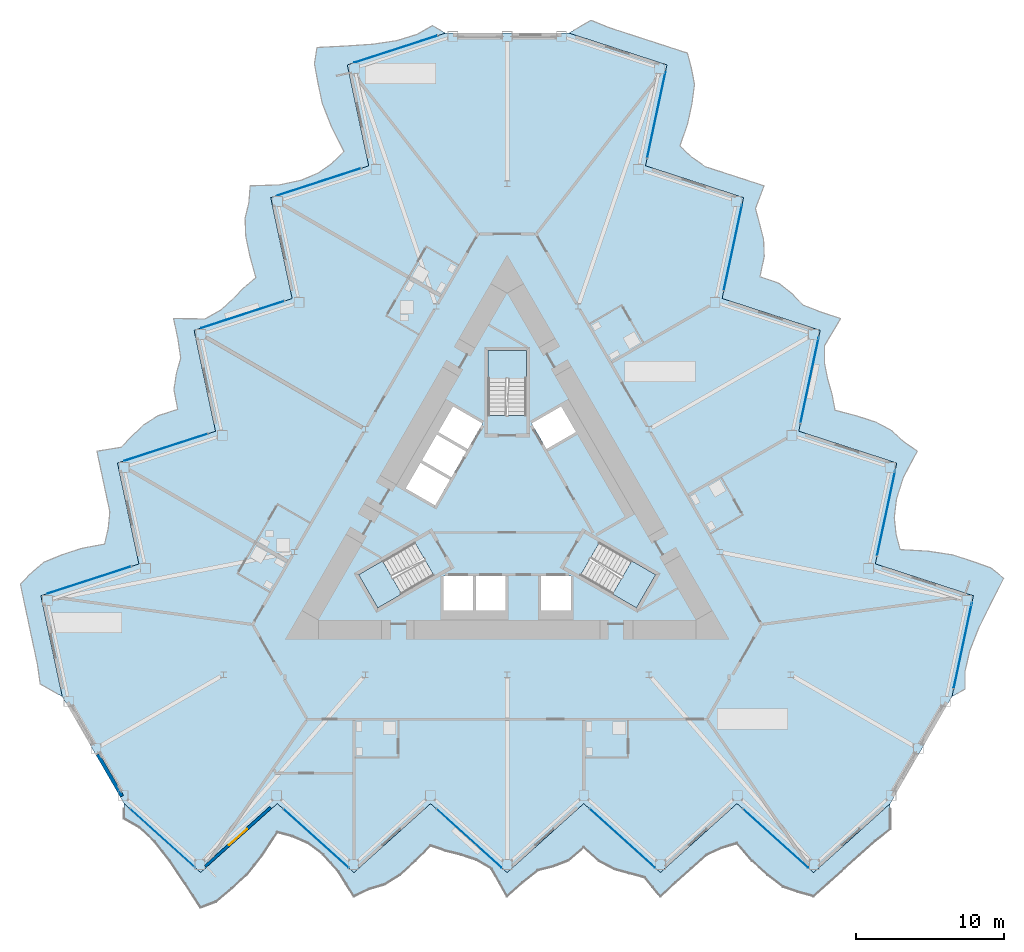
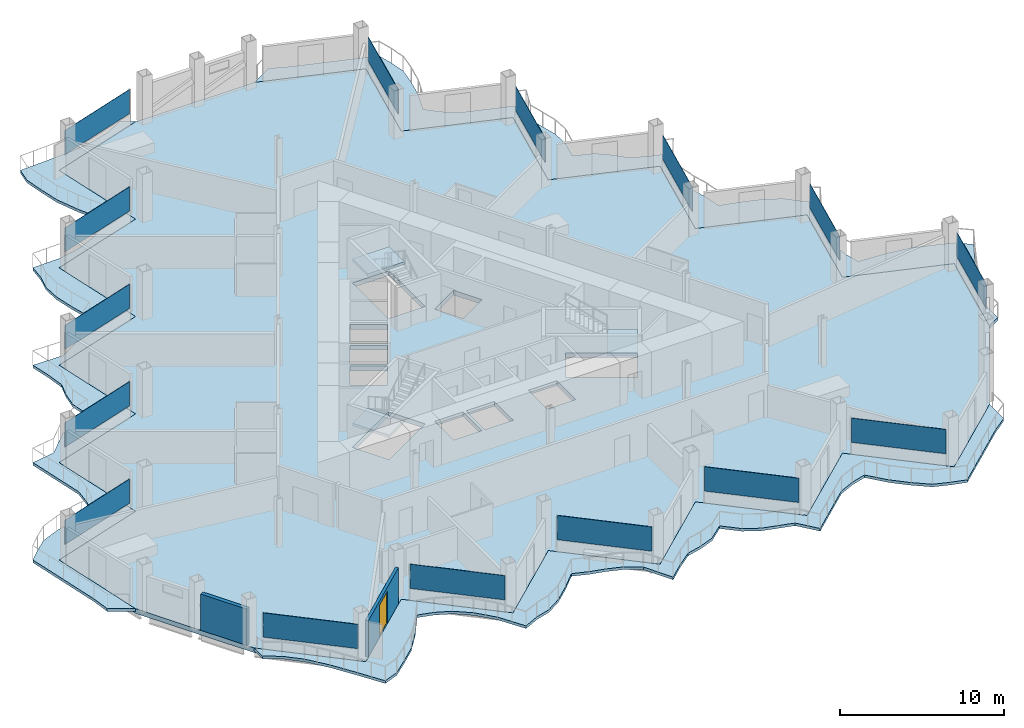
# One storey, part 10 of 23: 15 plates, 7 slabs, 2 walls, 1 door, 1 opening, 18 elements without a shape of their own.
"""IFC4 building model written with IfcOpenShell, lengths in metres."""

from ifc_helpers import new_model, si_unit, direction, frame, frame_2d, origin, origin_2d, place, context, subcontext, project, spatial, polyline, rectangle, outline, extrude, material, layer, layer_set, type_object, element, fill, aggregate, save


model = new_model("IFC4")

# Units and contexts
model_context = context("Model", 3, precision=1e-05, world=origin(), true_north=direction((0.0, 1.0)))
body_context = subcontext(model_context, "Body", "Model", "MODEL_VIEW")
ifc_project = project(units=[si_unit("LENGTHUNIT", "METRE"), si_unit("AREAUNIT", "SQUARE_METRE"), si_unit("VOLUMEUNIT", "CUBIC_METRE"), si_unit("PLANEANGLEUNIT", "RADIAN"), si_unit("MASSUNIT", "GRAM", prefix="KILO")], contexts=[model_context])

# Site, building, storey
site_placement = place(None, origin())
site = spatial("IfcSite", under=ifc_project, at=site_placement, CompositionType="ELEMENT")
building_placement = place(site_placement, origin())
building = spatial("IfcBuilding", under=site, at=building_placement, Name="Cormorant Prow Tower", CompositionType="ELEMENT")
storey_placement = place(building_placement, frame((0.0, 0.0, 241.800048828125)))
storey = spatial("IfcBuildingStorey", under=building, at=storey_placement, Name="L53", CompositionType="ELEMENT", Elevation=241.800048828125)

# Slabs
ifc_material_1 = material(Name="Concrete C40/50", Category="concrete")
ifc_layer_1 = layer(ifc_material_1, 0.199951171875)
ifc_layer_set_1 = layer_set([ifc_layer_1], Name="Concrete C40/50")
slab_type_1 = type_object("IfcSlabType", Name="Balcony slab 200", PredefinedType="FLOOR", material=ifc_layer_set_1)
slab_1_placement = place(storey_placement, frame((0.0, 0.0, -0.199951171875)))
element("IfcSlab", 1, at=slab_1_placement, inside=storey, type_object=slab_type_1, Name="Balcony slab S L53", PredefinedType="FLOOR", context=body_context, shape_type="SweptSolid", body=[
    extrude(outline(polyline([(-25.87841796875, -19.75830078125), (-25.87841796875, -20.7744140625), (-24.84326171875, -21.37548828125), (-23.808349609375, -22.331298828125), (-22.773193359375, -23.634521484375), (-21.738037109375, -25.177001953125), (-20.702880859375, -26.78076171875), (-19.667724609375, -26.38525390625), (-18.632568359375, -25.50439453125), (-17.597412109375, -24.572265625), (-16.562255859375, -23.269775390625), (-15.527099609375, -21.69287109375), (-14.491943359375, -21.969970703125), (-13.456787109375, -22.427978515625), (-12.421630859375, -23.20556640625), (-11.386474609375, -24.34716796875), (-10.351318359375, -26.018310546875), (-9.316162109375, -25.52685546875), (-8.281005859375, -25.22021484375), (-7.24609375, -24.572265625), (-6.2109375, -23.64013671875), (-5.17578125, -22.58984375), (-4.140625, -22.952392578125), (-3.10546875, -23.20947265625), (-2.0703125, -23.5576171875), (-1.03515625, -24.16748046875), (0.0, -26.018310546875), (1.03515625, -25.08642578125), (2.0703125, -24.262939453125), (3.10546875, -24.00146484375), (4.140625, -23.599853515625), (5.17578125, -22.708251953125), (6.2109375, -23.64013671875), (7.24609375, -24.1865234375), (8.281005859375, -24.470947265625), (9.316162109375, -24.75048828125), (10.351318359375, -26.018310546875), (11.386474609375, -25.08642578125), (12.421630859375, -24.154296875), (13.456787109375, -23.22216796875), (14.491943359375, -22.748779296875), (15.527099609375, -22.4384765625), (16.562255859375, -23.64013671875), (17.597412109375, -24.572265625), (18.632568359375, -25.373779296875), (19.667724609375, -25.731201171875), (20.702880859375, -26.018310546875), (21.738037109375, -25.08642578125), (22.773193359375, -24.154296875), (23.808349609375, -23.22216796875), (24.84326171875, -22.290283203125), (25.87841796875, -21.48486328125), (25.87841796875, -19.75830078125), (24.84326171875, -20.690185546875), (23.808349609375, -21.622314453125), (22.773193359375, -22.554443359375), (21.738037109375, -23.486328125), (20.702880859375, -24.41845703125), (19.667724609375, -23.486328125), (18.632568359375, -22.554443359375), (17.597412109375, -21.622314453125), (16.562255859375, -20.690185546875), (15.527099609375, -19.75830078125), (14.491943359375, -20.690185546875), (13.456787109375, -21.622314453125), (12.421630859375, -22.554443359375), (11.386474609375, -23.486328125), (10.351318359375, -24.41845703125), (9.316162109375, -23.486328125), (8.281005859375, -22.554443359375), (7.24609375, -21.622314453125), (6.2109375, -20.690185546875), (5.17578125, -19.75830078125), (4.140625, -20.690185546875), (3.10546875, -21.622314453125), (2.0703125, -22.554443359375), (1.03515625, -23.486328125), (0.0, -24.41845703125), (-1.03515625, -23.486328125), (-2.0703125, -22.554443359375), (-3.10546875, -21.622314453125), (-4.140625, -20.690185546875), (-5.17578125, -19.75830078125), (-6.2109375, -20.690185546875), (-7.24609375, -21.622314453125), (-8.281005859375, -22.554443359375), (-9.316162109375, -23.486328125), (-10.351318359375, -24.41845703125), (-11.386474609375, -23.486328125), (-12.421630859375, -22.554443359375), (-13.456787109375, -21.622314453125), (-14.491943359375, -20.690185546875), (-15.527099609375, -19.75830078125), (-16.562255859375, -20.690185546875), (-17.597412109375, -21.622314453125), (-18.632568359375, -22.554443359375), (-19.667724609375, -23.486328125), (-20.702880859375, -24.41845703125), (-21.738037109375, -23.486328125), (-22.773193359375, -22.554443359375), (-23.808349609375, -21.622314453125), (-24.84326171875, -20.690185546875), (-25.87841796875, -19.75830078125)])), origin(), (0.0, 0.0, 1.0), 0.199951171875),
])
slab_2_placement = place(storey_placement, frame((0.0, 0.0, -0.199951171875)))
element("IfcSlab", 2, at=slab_2_placement, inside=storey, type_object=slab_type_1, Name="Balcony slab ENE L53", PredefinedType="FLOOR", context=body_context, shape_type="SweptSolid", body=[
    extrude(outline(polyline([(30.05029296875, -12.532470703125), (30.930419921875, -12.0244140625), (30.93359375, -10.8271484375), (31.24365234375, -9.452880859375), (31.854736328125, -7.90478515625), (32.673095703125, -6.237060546875), (33.544189453125, -4.538818359375), (32.68408203125, -3.840087890625), (31.403564453125, -3.384033203125), (30.078857421875, -2.95361328125), (28.433349609375, -2.70849609375), (26.55029296875, -2.600341796875), (26.2724609375, -1.5654296875), (26.151611328125, -0.43994140625), (26.307373046875, 0.84521484375), (26.778564453125, 2.3125), (27.708251953125, 4.044677734375), (26.764892578125, 4.6953125), (25.98193359375, 5.4384765625), (24.9033203125, 6.010986328125), (23.578369140625, 6.44140625), (22.151123046875, 6.812744140625), (21.94775390625, 7.890380859375), (21.652587890625, 8.915283203125), (21.436767578125, 9.98583984375), (21.447265625, 11.187255859375), (22.53271484375, 13.00927734375), (21.207763671875, 13.439697265625), (19.977294921875, 13.924560546875), (19.233154296875, 14.690185546875), (18.367919921875, 15.3857421875), (17.078125, 15.83642578125), (17.36767578125, 17.198974609375), (17.322998046875, 18.368408203125), (17.0517578125, 19.406982421875), (16.7763671875, 20.443359375), (17.35693359375, 21.973876953125), (16.0322265625, 22.404296875), (14.70751953125, 22.834716796875), (13.382568359375, 23.26513671875), (12.455078125, 23.9248046875), (11.668701171875, 24.666015625), (12.19189453125, 26.163330078125), (12.4814453125, 27.52587890625), (12.657958984375, 28.822998046875), (12.449951171875, 29.898193359375), (12.18115234375, 30.9384765625), (10.8564453125, 31.368896484375), (9.53173828125, 31.79931640625), (8.20703125, 32.229736328125), (6.88232421875, 32.66015625), (5.667236328125, 33.154052734375), (4.171875, 32.29052734375), (5.49658203125, 31.860107421875), (6.8212890625, 31.4296875), (8.14599609375, 30.999267578125), (9.470703125, 30.56884765625), (10.795654296875, 30.138427734375), (10.505859375, 28.77587890625), (10.21630859375, 27.413330078125), (9.9267578125, 26.051025390625), (9.63720703125, 24.6884765625), (9.34765625, 23.325927734375), (10.67236328125, 22.8955078125), (11.9970703125, 22.465087890625), (13.32177734375, 22.03466796875), (14.646484375, 21.604248046875), (15.97119140625, 21.173828125), (15.681640625, 19.811279296875), (15.39208984375, 18.44873046875), (15.1025390625, 17.08642578125), (14.812744140625, 15.723876953125), (14.523193359375, 14.361328125), (15.847900390625, 13.930908203125), (17.172607421875, 13.50048828125), (18.49755859375, 13.070068359375), (19.822265625, 12.6396484375), (21.14697265625, 12.209228515625), (20.857421875, 10.8466796875), (20.56787109375, 9.484130859375), (20.278076171875, 8.121826171875), (19.988525390625, 6.75927734375), (19.698974609375, 5.396728515625), (21.023681640625, 4.96630859375), (22.348388671875, 4.535888671875), (23.673095703125, 4.10546875), (24.997802734375, 3.675048828125), (26.32275390625, 3.24462890625), (26.032958984375, 1.882080078125), (25.743408203125, 0.519775390625), (25.453857421875, -0.8427734375), (25.164306640625, -2.205322265625), (24.874755859375, -3.56787109375), (26.199462890625, -3.998291015625), (27.524169921875, -4.4287109375), (28.848876953125, -4.859130859375), (30.173583984375, -5.28955078125), (31.498291015625, -5.719970703125), (31.208740234375, -7.08251953125), (30.919189453125, -8.44482421875), (30.629638671875, -9.807373046875), (30.33984375, -11.169921875), (30.05029296875, -12.532470703125)])), origin(), (0.0, 0.0, 1.0), 0.199951171875),
])
slab_3_placement = place(storey_placement, frame((0.0, 0.0, -0.199951171875)))
element("IfcSlab", 3, at=slab_3_placement, inside=storey, type_object=slab_type_1, Name="Balcony slab WNW L53", PredefinedType="FLOOR", context=body_context, shape_type="SweptSolid", body=[
    extrude(outline(polyline([(-4.171875, 32.29052734375), (-5.0517578125, 32.798583984375), (-6.090087890625, 32.202880859375), (-7.435302734375, 31.7841796875), (-9.08154296875, 31.539306640625), (-10.93505859375, 31.4140625), (-12.84130859375, 31.319580078125), (-13.016357421875, 30.225341796875), (-12.771240234375, 28.888427734375), (-12.4814453125, 27.52587890625), (-11.87109375, 25.978271484375), (-11.023193359375, 24.29345703125), (-11.780517578125, 23.535400390625), (-12.69482421875, 22.867919921875), (-13.8857421875, 22.360107421875), (-15.39208984375, 22.03466796875), (-17.35693359375, 21.973876953125), (-17.44873046875, 20.83154296875), (-17.700927734375, 19.78173828125), (-17.6572265625, 18.561279296875), (-17.36767578125, 17.198974609375), (-16.9755859375, 15.777099609375), (-17.80712890625, 15.06201171875), (-18.547119140625, 14.294189453125), (-19.366455078125, 13.57177734375), (-20.412109375, 12.980224609375), (-22.53271484375, 13.00927734375), (-22.242919921875, 11.646728515625), (-22.047607421875, 10.338623046875), (-22.338623046875, 9.311279296875), (-22.508544921875, 8.214111328125), (-22.253662109375, 6.871826171875), (-23.578369140625, 6.44140625), (-24.569091796875, 5.818115234375), (-25.3330078125, 5.063720703125), (-26.092529296875, 4.30712890625), (-27.708251953125, 4.044677734375), (-27.418701171875, 2.68212890625), (-27.129150390625, 1.319580078125), (-26.839599609375, -0.042724609375), (-26.947021484375, -1.176025390625), (-27.19580078125, -2.2275390625), (-28.754150390625, -2.523193359375), (-30.078857421875, -2.95361328125), (-31.29052734375, -3.449462890625), (-32.11767578125, -4.167236328125), (-32.884033203125, -4.919921875), (-32.594482421875, -6.282470703125), (-32.3046875, -7.64501953125), (-32.01513671875, -9.00732421875), (-31.7255859375, -10.369873046875), (-31.5458984375, -11.6689453125), (-30.05029296875, -12.532470703125), (-30.33984375, -11.169921875), (-30.629638671875, -9.807373046875), (-30.919189453125, -8.44482421875), (-31.208740234375, -7.08251953125), (-31.498291015625, -5.719970703125), (-30.173583984375, -5.28955078125), (-28.848876953125, -4.859130859375), (-27.524169921875, -4.4287109375), (-26.199462890625, -3.998291015625), (-24.874755859375, -3.56787109375), (-25.164306640625, -2.205322265625), (-25.453857421875, -0.8427734375), (-25.743408203125, 0.519775390625), (-26.032958984375, 1.882080078125), (-26.32275390625, 3.24462890625), (-24.997802734375, 3.675048828125), (-23.673095703125, 4.10546875), (-22.348388671875, 4.535888671875), (-21.023681640625, 4.96630859375), (-19.698974609375, 5.396728515625), (-19.988525390625, 6.75927734375), (-20.278076171875, 8.121826171875), (-20.56787109375, 9.484130859375), (-20.857421875, 10.8466796875), (-21.14697265625, 12.209228515625), (-19.822265625, 12.6396484375), (-18.49755859375, 13.070068359375), (-17.172607421875, 13.50048828125), (-15.847900390625, 13.930908203125), (-14.523193359375, 14.361328125), (-14.812744140625, 15.723876953125), (-15.1025390625, 17.08642578125), (-15.39208984375, 18.44873046875), (-15.681640625, 19.811279296875), (-15.97119140625, 21.173828125), (-14.646484375, 21.604248046875), (-13.32177734375, 22.03466796875), (-11.9970703125, 22.465087890625), (-10.67236328125, 22.8955078125), (-9.34765625, 23.325927734375), (-9.63720703125, 24.6884765625), (-9.9267578125, 26.051025390625), (-10.21630859375, 27.413330078125), (-10.505859375, 28.77587890625), (-10.795654296875, 30.138427734375), (-9.470703125, 30.56884765625), (-8.14599609375, 30.999267578125), (-6.8212890625, 31.4296875), (-5.49658203125, 31.860107421875), (-4.171875, 32.29052734375)])), origin(), (0.0, 0.0, 1.0), 0.199951171875),
])

# Curtain wall, plate
ifc_material_2 = material(Name="Aluminium 6063-T6", Category="aluminium")
ifc_layer_2 = layer(ifc_material_2, 0.179931640625)
ifc_layer_set_2 = layer_set([ifc_layer_2], Name="Aluminium 6063-T6")
curtain_wall_type = type_object("IfcCurtainWallType", Name="Hotel unitised curtain wall 180", PredefinedType="NOTDEFINED", material=ifc_layer_set_2)
curtain_wall_1_placement = place(storey_placement, origin())
curtain_wall_1 = element("IfcCurtainWall", 4, at=curtain_wall_1_placement, inside=storey, type_object=curtain_wall_type, Name="Hotel curtain wall S00", PredefinedType="NOTDEFINED")
ifc_material_3 = material(Name="Clear glass", Category="glass")
ifc_layer_3 = layer(ifc_material_3, 0.028076171875)
ifc_layer_set_3 = layer_set([ifc_layer_3], Name="Clear glass")
plate_type = type_object("IfcPlateType", Name="Hotel glass panel 28", PredefinedType="CURTAIN_PANEL", material=ifc_layer_set_3)
plate_1_placement = place(storey_placement, frame((-23.268310546875, -22.1083984375, 0.89990234375), z_axis=(0.0, 0.0, 1.0), x_axis=(0.743144812176, -0.669130621132, 0.0)))
plate_1 = element("IfcPlate", 5, at=plate_1_placement, type_object=plate_type, Name="Hotel glass panel S00", PredefinedType="CURTAIN_PANEL", context=body_context, shape_type="SweptSolid", body=[
    extrude(rectangle(XDim=5.902587890625, YDim=0.028076171875, at=origin_2d()), origin(), (0.0, 0.0, 1.0), 1.80078125),
])
aggregate(curtain_wall_1, [plate_1])

curtain_wall_2_placement = place(storey_placement, origin())
curtain_wall_2 = element("IfcCurtainWall", 6, at=curtain_wall_2_placement, inside=storey, type_object=curtain_wall_type, Name="Hotel curtain wall S02", PredefinedType="NOTDEFINED")
plate_2_placement = place(storey_placement, frame((-12.9169921875, -22.1083984375, 0.89990234375), z_axis=(0.0, 0.0, 1.0), x_axis=(0.743144876466, -0.66913054973, 0.0)))
plate_2 = element("IfcPlate", 7, at=plate_2_placement, type_object=plate_type, Name="Hotel glass panel S02", PredefinedType="CURTAIN_PANEL", context=body_context, shape_type="SweptSolid", body=[
    extrude(rectangle(XDim=5.902587890625, YDim=0.028076171875, at=origin_2d()), origin(), (0.0, 0.0, 1.0), 1.80078125),
])
aggregate(curtain_wall_2, [plate_2])

curtain_wall_3_placement = place(storey_placement, origin())
curtain_wall_3 = element("IfcCurtainWall", 8, at=curtain_wall_3_placement, inside=storey, type_object=curtain_wall_type, Name="Hotel curtain wall S04", PredefinedType="NOTDEFINED")
plate_3_placement = place(storey_placement, frame((-2.565673828125, -22.1083984375, 0.89990234375), z_axis=(0.0, 0.0, 1.0), x_axis=(0.743144812176, -0.669130621132, 0.0)))
plate_3 = element("IfcPlate", 9, at=plate_3_placement, type_object=plate_type, Name="Hotel glass panel S04", PredefinedType="CURTAIN_PANEL", context=body_context, shape_type="SweptSolid", body=[
    extrude(rectangle(XDim=5.902587890625, YDim=0.028076171875, at=origin_2d()), origin(), (0.0, 0.0, 1.0), 1.80078125),
])
aggregate(curtain_wall_3, [plate_3])

curtain_wall_4_placement = place(storey_placement, origin())
curtain_wall_4 = element("IfcCurtainWall", 10, at=curtain_wall_4_placement, inside=storey, type_object=curtain_wall_type, Name="Hotel curtain wall S06", PredefinedType="NOTDEFINED")
plate_4_placement = place(storey_placement, frame((7.785888671875, -22.1083984375, 0.89990234375), z_axis=(0.0, 0.0, 1.0), x_axis=(0.743144812176, -0.669130621132, 0.0)))
plate_4 = element("IfcPlate", 11, at=plate_4_placement, type_object=plate_type, Name="Hotel glass panel S06", PredefinedType="CURTAIN_PANEL", context=body_context, shape_type="SweptSolid", body=[
    extrude(rectangle(XDim=5.902587890625, YDim=0.028076171875, at=origin_2d()), origin(), (0.0, 0.0, 1.0), 1.80078125),
])
aggregate(curtain_wall_4, [plate_4])

curtain_wall_5_placement = place(storey_placement, origin())
curtain_wall_5 = element("IfcCurtainWall", 12, at=curtain_wall_5_placement, inside=storey, type_object=curtain_wall_type, Name="Hotel curtain wall S08", PredefinedType="NOTDEFINED")
plate_5_placement = place(storey_placement, frame((18.13720703125, -22.1083984375, 0.89990234375), z_axis=(0.0, 0.0, 1.0), x_axis=(0.743144812176, -0.669130621132, 0.0)))
plate_5 = element("IfcPlate", 13, at=plate_5_placement, type_object=plate_type, Name="Hotel glass panel S08", PredefinedType="CURTAIN_PANEL", context=body_context, shape_type="SweptSolid", body=[
    extrude(rectangle(XDim=5.902587890625, YDim=0.028076171875, at=origin_2d()), origin(), (0.0, 0.0, 1.0), 1.80078125),
])
aggregate(curtain_wall_5, [plate_5])

curtain_wall_6_placement = place(storey_placement, origin())
curtain_wall_6 = element("IfcCurtainWall", 14, at=curtain_wall_6_placement, inside=storey, type_object=curtain_wall_type, Name="Hotel curtain wall ENE00", PredefinedType="NOTDEFINED")
plate_6_placement = place(storey_placement, frame((30.780517578125, -9.096923828125, 0.89990234375), z_axis=(0.0, 0.0, 1.0), x_axis=(0.207911667327, 0.978147605727, 0.0)))
plate_6 = element("IfcPlate", 15, at=plate_6_placement, type_object=plate_type, Name="Hotel glass panel ENE00", PredefinedType="CURTAIN_PANEL", context=body_context, shape_type="SweptSolid", body=[
    extrude(rectangle(XDim=5.902587890625, YDim=0.028076171875, at=origin_2d()), origin(), (0.0, 0.0, 1.0), 1.80078125),
])
aggregate(curtain_wall_6, [plate_6])

curtain_wall_7_placement = place(storey_placement, origin())
curtain_wall_7 = element("IfcCurtainWall", 16, at=curtain_wall_7_placement, inside=storey, type_object=curtain_wall_type, Name="Hotel curtain wall ENE02", PredefinedType="NOTDEFINED")
plate_7_placement = place(storey_placement, frame((25.60498046875, -0.13232421875, 0.89990234375), z_axis=(0.0, 0.0, 1.0), x_axis=(0.207911667327, 0.978147605727, 0.0)))
plate_7 = element("IfcPlate", 17, at=plate_7_placement, type_object=plate_type, Name="Hotel glass panel ENE02", PredefinedType="CURTAIN_PANEL", context=body_context, shape_type="SweptSolid", body=[
    extrude(rectangle(XDim=5.902587890625, YDim=0.028076171875, at=origin_2d()), origin(), (0.0, 0.0, 1.0), 1.80078125),
])
aggregate(curtain_wall_7, [plate_7])

curtain_wall_8_placement = place(storey_placement, origin())
curtain_wall_8 = element("IfcCurtainWall", 18, at=curtain_wall_8_placement, inside=storey, type_object=curtain_wall_type, Name="Hotel curtain wall ENE04", PredefinedType="NOTDEFINED")
plate_8_placement = place(storey_placement, frame((20.42919921875, 8.832275390625, 0.89990234375), z_axis=(0.0, 0.0, 1.0), x_axis=(0.207911667327, 0.978147605727, 0.0)))
plate_8 = element("IfcPlate", 19, at=plate_8_placement, type_object=plate_type, Name="Hotel glass panel ENE04", PredefinedType="CURTAIN_PANEL", context=body_context, shape_type="SweptSolid", body=[
    extrude(rectangle(XDim=5.902587890625, YDim=0.028076171875, at=origin_2d()), origin(), (0.0, 0.0, 1.0), 1.80078125),
])
aggregate(curtain_wall_8, [plate_8])

curtain_wall_9_placement = place(storey_placement, origin())
curtain_wall_9 = element("IfcCurtainWall", 20, at=curtain_wall_9_placement, inside=storey, type_object=curtain_wall_type, Name="Hotel curtain wall ENE06", PredefinedType="NOTDEFINED")
plate_9_placement = place(storey_placement, frame((15.25341796875, 17.796875, 0.89990234375), z_axis=(0.0, 0.0, 1.0), x_axis=(0.207911833914, 0.978147570318, 0.0)))
plate_9 = element("IfcPlate", 21, at=plate_9_placement, type_object=plate_type, Name="Hotel glass panel ENE06", PredefinedType="CURTAIN_PANEL", context=body_context, shape_type="SweptSolid", body=[
    extrude(rectangle(XDim=5.902587890625, YDim=0.028076171875, at=origin_2d()), origin(), (0.0, 0.0, 1.0), 1.80078125),
])
aggregate(curtain_wall_9, [plate_9])

curtain_wall_10_placement = place(storey_placement, origin())
curtain_wall_10 = element("IfcCurtainWall", 22, at=curtain_wall_10_placement, inside=storey, type_object=curtain_wall_type, Name="Hotel curtain wall ENE08", PredefinedType="NOTDEFINED")
plate_10_placement = place(storey_placement, frame((10.077880859375, 26.761474609375, 0.89990234375), z_axis=(0.0, 0.0, 1.0), x_axis=(0.207911667327, 0.978147605727, 0.0)))
plate_10 = element("IfcPlate", 23, at=plate_10_placement, type_object=plate_type, Name="Hotel glass panel ENE08", PredefinedType="CURTAIN_PANEL", context=body_context, shape_type="SweptSolid", body=[
    extrude(rectangle(XDim=5.902587890625, YDim=0.028076171875, at=origin_2d()), origin(), (0.0, 0.0, 1.0), 1.80078125),
])
aggregate(curtain_wall_10, [plate_10])

curtain_wall_11_placement = place(storey_placement, origin())
curtain_wall_11 = element("IfcCurtainWall", 24, at=curtain_wall_11_placement, inside=storey, type_object=curtain_wall_type, Name="Hotel curtain wall WNW00", PredefinedType="NOTDEFINED")
plate_11_placement = place(storey_placement, frame((-7.51220703125, 31.205078125, 0.89990234375), z_axis=(0.0, 0.0, 1.0), x_axis=(-0.951056504268, -0.309017031391, 0.0)))
plate_11 = element("IfcPlate", 25, at=plate_11_placement, type_object=plate_type, Name="Hotel glass panel WNW00", PredefinedType="CURTAIN_PANEL", context=body_context, shape_type="SweptSolid", body=[
    extrude(rectangle(XDim=5.902587890625, YDim=0.028076171875, at=origin_2d()), origin(), (0.0, 0.0, 1.0), 1.80078125),
])
aggregate(curtain_wall_11, [plate_11])

curtain_wall_12_placement = place(storey_placement, origin())
curtain_wall_12 = element("IfcCurtainWall", 26, at=curtain_wall_12_placement, inside=storey, type_object=curtain_wall_type, Name="Hotel curtain wall WNW02", PredefinedType="NOTDEFINED")
plate_12_placement = place(storey_placement, frame((-12.68798828125, 22.24072265625, 0.89990234375), z_axis=(0.0, 0.0, 1.0), x_axis=(-0.951056517978, -0.309016989196, 0.0)))
plate_12 = element("IfcPlate", 27, at=plate_12_placement, type_object=plate_type, Name="Hotel glass panel WNW02", PredefinedType="CURTAIN_PANEL", context=body_context, shape_type="SweptSolid", body=[
    extrude(rectangle(XDim=5.902587890625, YDim=0.028076171875, at=origin_2d()), origin(), (0.0, 0.0, 1.0), 1.80078125),
])
aggregate(curtain_wall_12, [plate_12])

curtain_wall_13_placement = place(storey_placement, origin())
curtain_wall_13 = element("IfcCurtainWall", 28, at=curtain_wall_13_placement, inside=storey, type_object=curtain_wall_type, Name="Hotel curtain wall WNW04", PredefinedType="NOTDEFINED")
plate_13_placement = place(storey_placement, frame((-17.863525390625, 13.276123046875, 0.89990234375), z_axis=(0.0, 0.0, 1.0), x_axis=(-0.951056517978, -0.309016989196, 0.0)))
plate_13 = element("IfcPlate", 29, at=plate_13_placement, type_object=plate_type, Name="Hotel glass panel WNW04", PredefinedType="CURTAIN_PANEL", context=body_context, shape_type="SweptSolid", body=[
    extrude(rectangle(XDim=5.902587890625, YDim=0.028076171875, at=origin_2d()), origin(), (0.0, 0.0, 1.0), 1.80078125),
])
aggregate(curtain_wall_13, [plate_13])

curtain_wall_14_placement = place(storey_placement, origin())
curtain_wall_14 = element("IfcCurtainWall", 30, at=curtain_wall_14_placement, inside=storey, type_object=curtain_wall_type, Name="Hotel curtain wall WNW06", PredefinedType="NOTDEFINED")
plate_14_placement = place(storey_placement, frame((-23.039306640625, 4.3115234375, 0.89990234375), z_axis=(0.0, 0.0, 1.0), x_axis=(-0.951056504268, -0.309017031391, 0.0)))
plate_14 = element("IfcPlate", 31, at=plate_14_placement, type_object=plate_type, Name="Hotel glass panel WNW06", PredefinedType="CURTAIN_PANEL", context=body_context, shape_type="SweptSolid", body=[
    extrude(rectangle(XDim=5.902587890625, YDim=0.028076171875, at=origin_2d()), origin(), (0.0, 0.0, 1.0), 1.80078125),
])
aggregate(curtain_wall_14, [plate_14])

curtain_wall_15_placement = place(storey_placement, origin())
curtain_wall_15 = element("IfcCurtainWall", 32, at=curtain_wall_15_placement, inside=storey, type_object=curtain_wall_type, Name="Hotel curtain wall WNW08", PredefinedType="NOTDEFINED")
plate_15_placement = place(storey_placement, frame((-28.215087890625, -4.653076171875, 0.89990234375), z_axis=(0.0, 0.0, 1.0), x_axis=(-0.951056546466, -0.30901690152, 0.0)))
plate_15 = element("IfcPlate", 33, at=plate_15_placement, type_object=plate_type, Name="Hotel glass panel WNW08", PredefinedType="CURTAIN_PANEL", context=body_context, shape_type="SweptSolid", body=[
    extrude(rectangle(XDim=5.902587890625, YDim=0.028076171875, at=origin_2d()), origin(), (0.0, 0.0, 1.0), 1.80078125),
])
aggregate(curtain_wall_15, [plate_15])

# Slab
ifc_material_4 = material(Name="Concrete C40/50", Category="concrete")
ifc_layer_4 = layer(ifc_material_4, 0.35009765625)
ifc_layer_set_4 = layer_set([ifc_layer_4], Name="Concrete C40/50")
slab_type_2 = type_object("IfcSlabType", Name="Post-tensioned flat slab 350", PredefinedType="FLOOR", material=ifc_layer_set_4)
slab_4_placement = place(storey_placement, frame((0.0, 0.0, -0.35009765625)))
element("IfcSlab", 34, at=slab_4_placement, inside=storey, type_object=slab_type_2, Name="Floor slab L53", PredefinedType="FLOOR", context=body_context, shape_type="SweptSolid", body=[
    extrude(outline(polyline([(-9.34765625, 23.325927734375), (-15.97119140625, 21.173828125), (-14.523193359375, 14.361328125), (-21.14697265625, 12.209228515625), (-19.698974609375, 5.396728515625), (-26.32275390625, 3.24462890625), (-24.874755859375, -3.56787109375), (-31.498291015625, -5.719970703125), (-30.05029296875, -12.532470703125), (-27.96435546875, -16.145263671875), (-25.87841796875, -19.75830078125), (-20.702880859375, -24.41845703125), (-15.527099609375, -19.75830078125), (-10.351318359375, -24.41845703125), (-5.17578125, -19.75830078125), (0.0, -24.41845703125), (5.17578125, -19.75830078125), (10.351318359375, -24.41845703125), (15.527099609375, -19.75830078125), (20.702880859375, -24.41845703125), (25.87841796875, -19.75830078125), (27.96435546875, -16.145263671875), (30.05029296875, -12.532470703125), (31.498291015625, -5.719970703125), (24.874755859375, -3.56787109375), (26.32275390625, 3.24462890625), (19.698974609375, 5.396728515625), (21.14697265625, 12.209228515625), (14.523193359375, 14.361328125), (15.97119140625, 21.173828125), (9.34765625, 23.325927734375), (10.795654296875, 30.138427734375), (4.171875, 32.29052734375), (0.0, 32.29052734375), (-4.171875, 32.29052734375), (-10.795654296875, 30.138427734375), (-9.34765625, 23.325927734375)]), holes=[polyline([(-4.300048828125, -4.39990234375), (-2.300048828125, -4.39990234375), (-2.300048828125, -6.699951171875), (-4.300048828125, -6.699951171875), (-4.300048828125, -4.39990234375)]), polyline([(-0.10009765625, -4.39990234375), (-0.10009765625, -6.699951171875), (-2.10009765625, -6.699951171875), (-2.10009765625, -4.39990234375), (-0.10009765625, -4.39990234375)]), polyline([(4.300048828125, -6.699951171875), (2.300048828125, -6.699951171875), (2.300048828125, -4.39990234375), (4.300048828125, -4.39990234375), (4.300048828125, -6.699951171875)]), polyline([(4.65234375, 5.341796875), (2.660400390625, 4.19189453125), (1.660400390625, 5.923828125), (3.65234375, 7.073974609375), (4.65234375, 5.341796875)]), polyline([(-1.660400390625, 5.923828125), (-2.660400390625, 4.19189453125), (-4.65234375, 5.341796875), (-3.65234375, 7.073974609375), (-1.660400390625, 5.923828125)]), polyline([(-3.760498046875, 2.28662109375), (-5.75244140625, 3.4365234375), (-4.75244140625, 5.168701171875), (-2.760498046875, 4.018798828125), (-3.760498046875, 2.28662109375)]), polyline([(-6.852294921875, 1.53125), (-5.852294921875, 3.263427734375), (-3.860595703125, 2.11328125), (-4.860595703125, 0.38134765625), (-6.852294921875, 1.53125)]), polyline([(-4.947509765625, -4.3505859375), (-8.738037109375, -6.5390625), (-10.031982421875, -4.2978515625), (-6.241455078125, -2.109375), (-4.947509765625, -4.3505859375)]), polyline([(10.031982421875, -4.2978515625), (8.738037109375, -6.5390625), (4.947509765625, -4.3505859375), (6.241455078125, -2.109375), (10.031982421875, -4.2978515625)]), polyline([(1.2939453125, 10.8369140625), (1.2939453125, 6.459716796875), (-1.2939453125, 6.459716796875), (-1.2939453125, 10.8369140625), (1.2939453125, 10.8369140625)])]), origin(), (0.0, 0.0, 1.0), 0.35009765625),
])

# Stair, slab
ifc_material_5 = material(Name="Exit stair 20 risers")
stair_type = type_object("IfcStairType", Name="Exit stair 20 risers", PredefinedType="HALF_TURN_STAIR", material=ifc_material_5)
stair_1_placement = place(storey_placement, origin())
stair_1 = element("IfcStair", 35, at=stair_1_placement, inside=storey, type_object=stair_type, Name="L53 Exit stair ST1", PredefinedType="HALF_TURN_STAIR")
ifc_material_6 = material(Name="Concrete 5000 psi", Category="concrete")
ifc_layer_5 = layer(ifc_material_6, 0.199951171875)
ifc_layer_set_5 = layer_set([ifc_layer_5], Name="Concrete 5000 psi")
slab_type_3 = type_object("IfcSlabType", Name="Stair landing 200", PredefinedType="LANDING", material=ifc_layer_set_5)
slab_5_placement = place(storey_placement, frame((0.0, 0.0, 1.599853515625)))
slab_5 = element("IfcSlab", 36, at=slab_5_placement, type_object=slab_type_3, Name="ST1 landing 1", PredefinedType="LANDING", context=body_context, shape_type="SweptSolid", body=[
    extrude(outline(polyline([(-8.416748046875, -3.365234375), (-10.031982421875, -4.2978515625), (-8.738037109375, -6.5390625), (-7.122802734375, -5.6064453125), (-8.416748046875, -3.365234375)])), origin(), (0.0, 0.0, 1.0), 0.2001953125),
])
aggregate(stair_1, [slab_5])

stair_2_placement = place(storey_placement, origin())
stair_2 = element("IfcStair", 37, at=stair_2_placement, inside=storey, type_object=stair_type, Name="L53 Exit stair ST2", PredefinedType="HALF_TURN_STAIR")
slab_6_placement = place(storey_placement, frame((0.0, 0.0, 1.599853515625)))
slab_6 = element("IfcSlab", 38, at=slab_6_placement, type_object=slab_type_3, Name="ST2 landing 1", PredefinedType="LANDING", context=body_context, shape_type="SweptSolid", body=[
    extrude(outline(polyline([(7.122802734375, -5.6064453125), (8.738037109375, -6.5390625), (10.031982421875, -4.2978515625), (8.416748046875, -3.365234375), (7.122802734375, -5.6064453125)])), origin(), (0.0, 0.0, 1.0), 0.2001953125),
])
aggregate(stair_2, [slab_6])

stair_3_placement = place(storey_placement, origin())
stair_3 = element("IfcStair", 39, at=stair_3_placement, inside=storey, type_object=stair_type, Name="L53 Exit stair ST3", PredefinedType="HALF_TURN_STAIR")
slab_7_placement = place(storey_placement, frame((0.0, 0.0, 1.599853515625)))
slab_7 = element("IfcSlab", 40, at=slab_7_placement, type_object=slab_type_3, Name="ST3 landing 1", PredefinedType="LANDING", context=body_context, shape_type="SweptSolid", body=[
    extrude(outline(polyline([(1.2939453125, 8.971923828125), (1.2939453125, 10.8369140625), (-1.2939453125, 10.8369140625), (-1.2939453125, 8.971923828125), (1.2939453125, 8.971923828125)])), origin(), (0.0, 0.0, 1.0), 0.2001953125),
])
aggregate(stair_3, [slab_7])

# Wall
ifc_material_7 = material(Name="Terracotta", Category="masonry")
ifc_layer_6 = layer(ifc_material_7, 0.25)
ifc_layer_set_6 = layer_set([ifc_layer_6], Name="Terracotta")
wall_type_1 = type_object("IfcWallType", Name="Terracotta bay wall 250", PredefinedType="SOLIDWALL", material=ifc_layer_set_6)
wall_1_placement = place(storey_placement, frame((-27.65185546875, -16.436767578125, 0.0), z_axis=(0.0, 0.0, 1.0), x_axis=(0.500026945261, -0.866009846372, 0.0)))
element("IfcWall", 41, at=wall_1_placement, inside=storey, type_object=wall_type_1, Name="Terracotta bay wall WSW01", PredefinedType="SOLIDWALL", context=body_context, shape_type="SweptSolid", body=[
    extrude(rectangle(XDim=3.261962890625, YDim=0.25, at=frame_2d((1.630859375, 0.0))), origin(), (0.0, 0.0, 1.0), 2.700927734375),
])

# Wall, opening, door
ifc_material_8 = material(Name="Terracotta", Category="masonry")
ifc_layer_7 = layer(ifc_material_8, 0.199951171875)
ifc_layer_set_7 = layer_set([ifc_layer_7], Name="Terracotta")
wall_type_2 = type_object("IfcWallType", Name="Terracotta jamb wall 200", PredefinedType="SOLIDWALL", material=ifc_layer_set_7)
wall_2_placement = place(storey_placement, frame((-20.3974609375, -24.0087890625, 0.0), z_axis=(0.0, 0.0, 1.0), x_axis=(0.74315161366, 0.669123067241, 0.0)))
wall_2 = element("IfcWall", 42, at=wall_2_placement, inside=storey, type_object=wall_type_2, Name="Terracotta jamb wall S01", PredefinedType="SOLIDWALL", context=body_context, shape_type="SweptSolid", body=[
    extrude(rectangle(XDim=5.962646484375, YDim=0.199951171875, at=frame_2d((2.9814453125, 0.0))), origin(), (0.0, 0.0, 1.0), 2.700927734375),
])
opening_placement = place(wall_2_placement, frame((2.181396484375, 0.0, 0.0)))
opening = element("IfcOpeningElement", 43, at=opening_placement, cuts=wall_2, Name="Opening ED53.01", PredefinedType="OPENING", context=body_context, shape_type="SweptSolid", body=[
    extrude(rectangle(XDim=1.60009765625, YDim=2.39990234375, at=frame_2d((0.800048828125, 1.199951171875))), frame((0.0, 0.10986328125, 0.0), z_axis=(0.0, -1.0, 0.0), x_axis=(1.0, 0.0, 0.0)), (0.0, 0.0, 1.0), 0.219970703125),
])
ifc_material_9 = material(Name="Aluminium 6063-T6", Category="aluminium")
door_type = type_object("IfcDoorType", Name="Balcony door 1600x2400", OperationType="DOUBLE_DOOR_SINGLE_SWING", PredefinedType="DOOR", material=ifc_material_9)
door_placement = place(opening_placement, origin())
door = element("IfcDoor", 44, at=door_placement, inside=storey, type_object=door_type, Name="Balcony door S01 ED53.01", OperationType="DOUBLE_DOOR_SINGLE_SWING", OverallHeight=2.39990234375, OverallWidth=1.60009765625, PredefinedType="DOOR", context=body_context, shape_type="SweptSolid", body=[
    extrude(rectangle(XDim=1.60009765625, YDim=2.39990234375, at=frame_2d((0.800048828125, 1.199951171875))), frame((0.0, 0.02490234375, 0.0), z_axis=(0.0, -1.0, 0.0), x_axis=(1.0, 0.0, 0.0)), (0.0, 0.0, 1.0), 0.050048828125),
])
fill(opening, door)

save(model, "model.ifc")
